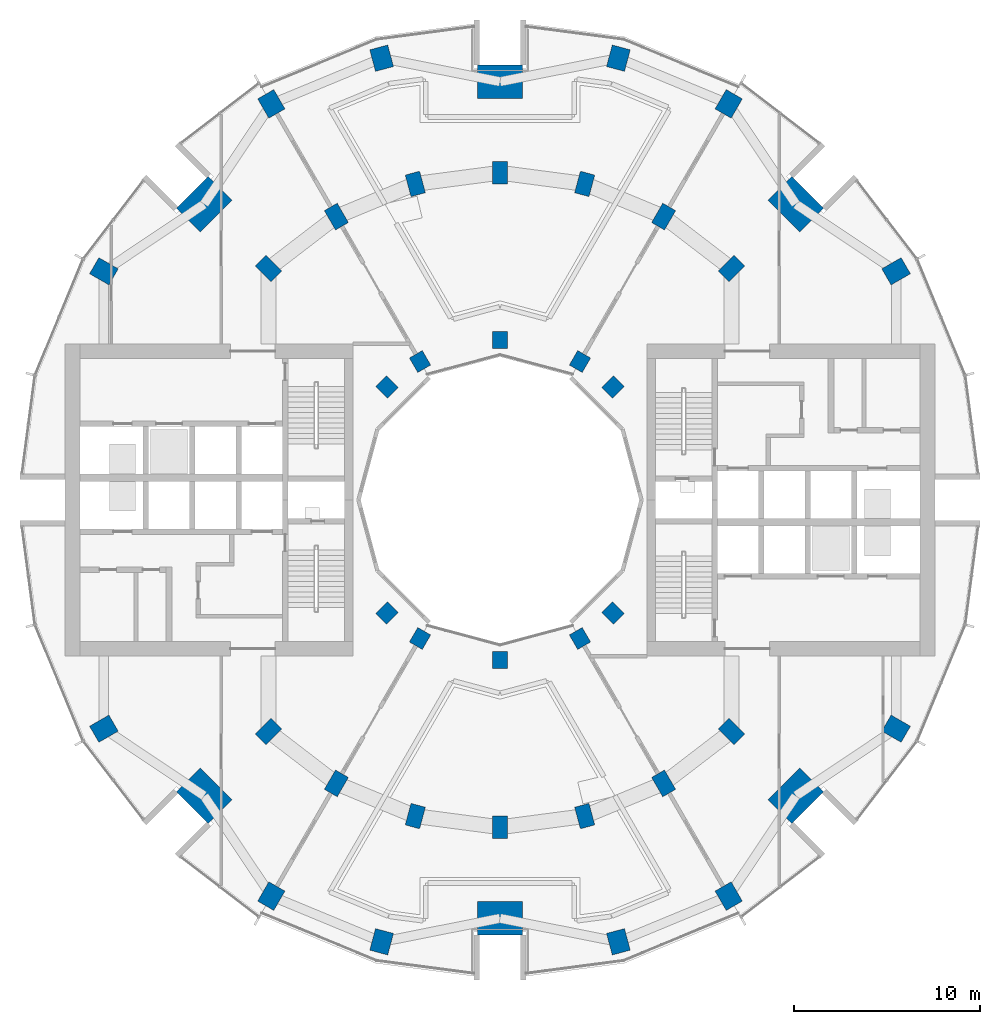
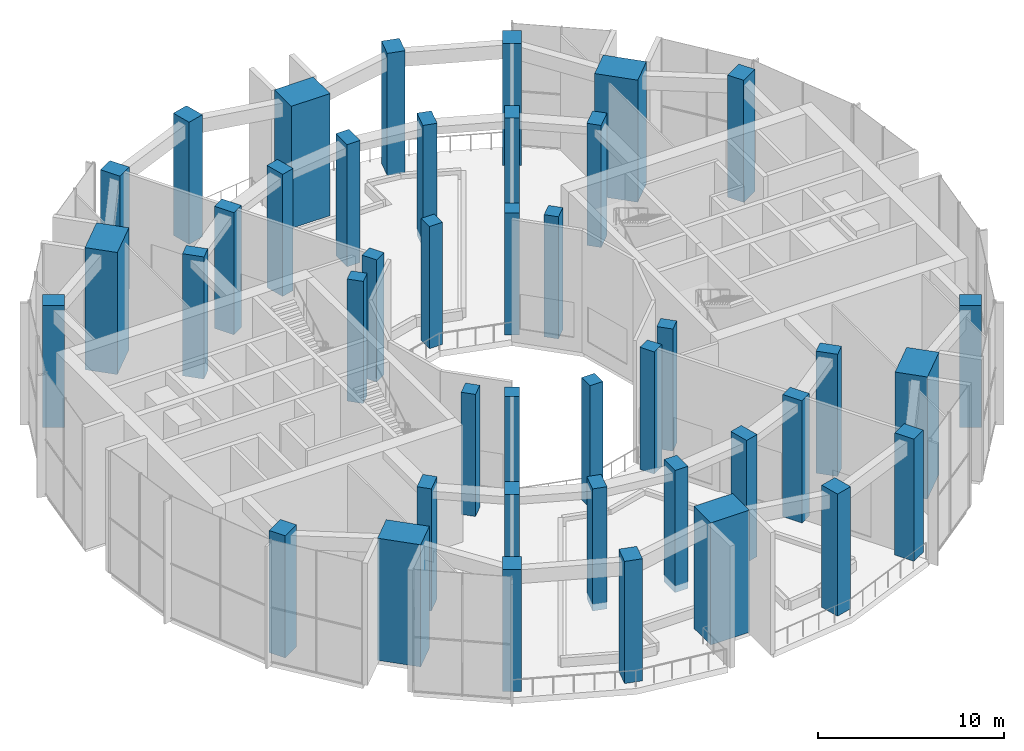
# One storey, part 1 of 18: 42 columns.
"""IFC4 building model written with IfcOpenShell, lengths in metres."""

from ifc_helpers import new_model, si_unit, direction, frame, origin, origin_2d, place, context, subcontext, project, spatial, rectangle, extrude, material, material_profile, profile_set, type_object, element, save


model = new_model("IFC4")

# Units and contexts
model_context = context("Model", 3, precision=1e-05, world=origin(), true_north=direction((0.0, 1.0)))
body_context = subcontext(model_context, "Body", "Model", "MODEL_VIEW")
ifc_project = project(units=[si_unit("LENGTHUNIT", "METRE"), si_unit("AREAUNIT", "SQUARE_METRE"), si_unit("VOLUMEUNIT", "CUBIC_METRE"), si_unit("PLANEANGLEUNIT", "RADIAN"), si_unit("MASSUNIT", "GRAM", prefix="KILO")], contexts=[model_context])

# Site, building, storey
site_placement = place(None, origin())
site = spatial("IfcSite", under=ifc_project, at=site_placement, CompositionType="ELEMENT")
building_placement = place(site_placement, origin())
building = spatial("IfcBuilding", under=site, at=building_placement, Name="Torre Brocal", CompositionType="ELEMENT")
storey_placement = place(building_placement, frame((0.0, 0.0, 74.39990234375)))
storey = spatial("IfcBuildingStorey", under=building, at=storey_placement, Name="L17", CompositionType="ELEMENT", Elevation=74.39990234375)

# Columns
ifc_material_1 = material(Name="Concrete C80", Category="concrete")
ifc_material_profile_1 = material_profile(ifc_material_1, rectangle(XDim=1.199951171875, YDim=1.0, at=origin_2d()), Name="RC 1200X1000")
ifc_profile_set_1 = profile_set([ifc_material_profile_1], Name="Concrete C80")
column_type_1 = type_object("IfcColumnType", Name="RC COLUMN 1200X1000 C80", PredefinedType="COLUMN", material=ifc_profile_set_1)
for number, where, z_axis, x_axis, name in (
    (1, (101.30419921875, 87.300048828125, 0.0), (0.0, 0.0, 1.0), (0.866025403784, 0.5, 0.0), "Column C-O02"),
    (2, (92.300048828125, 96.30419921875, 0.0), (0.0, 0.0, 1.0), (0.5, 0.866025403784, 0.0), "Column C-O04"),
    (3, (86.366943359375, 98.76171875, 0.0), (0.0, 0.0, 1.0), (0.258819045103, 0.965925826289, 0.0), "Column C-O05"),
    (4, (73.633056640625, 98.76171875, 0.0), (0.0, 0.0, 1.0), (-0.258819045103, 0.965925826289, 0.0), "Column C-O07"),
    (5, (67.699951171875, 96.30419921875, 0.0), (0.0, 0.0, 1.0), (-0.5, 0.866025403784, 0.0), "Column C-O08"),
    (6, (58.69580078125, 87.300048828125, 0.0), (0.0, 0.0, 1.0), (-0.866025403784, 0.5, 0.0), "Column C-O10"),
    (7, (58.69580078125, 62.699951171875, 0.0), (0.0, 0.0, 1.0), (-0.866025403784, -0.5, 0.0), "Column C-O14"),
    (8, (67.699951171875, 53.69580078125, 0.0), (0.0, 0.0, 1.0), (-0.5, -0.866025403784, 0.0), "Column C-O16"),
    (9, (73.633056640625, 51.23828125, 0.0), (0.0, 0.0, 1.0), (-0.258819045103, -0.965925826289, 0.0), "Column C-O17"),
    (10, (86.366943359375, 51.23828125, 0.0), (0.0, 0.0, 1.0), (0.258819045103, -0.965925826289, 0.0), "Column C-O19"),
    (11, (92.300048828125, 53.69580078125, 0.0), (0.0, 0.0, 1.0), (0.5, -0.866025403784, 0.0), "Column C-O20"),
    (12, (101.30419921875, 62.699951171875, 0.0), (0.0, 0.0, 1.0), (0.866025403784, -0.5, 0.0), "Column C-O22"),
):
    element("IfcColumn", number, at=place(storey_placement, frame(where, z_axis=z_axis, x_axis=x_axis)), inside=storey, type_object=column_type_1, Name=name, PredefinedType="COLUMN", context=body_context, shape_type="SweptSolid", body=[
        extrude(rectangle(XDim=1.199951171875, YDim=1.0, at=origin_2d()), origin(), (0.0, 0.0, 1.0), 8.0),
    ])
ifc_material_2 = material(Name="Concrete C80", Category="concrete")
ifc_material_profile_2 = material_profile(ifc_material_2, rectangle(XDim=1.199951171875, YDim=0.800048828125, at=origin_2d()), Name="RC 1200X800")
ifc_profile_set_2 = profile_set([ifc_material_profile_2], Name="Concrete C80")
column_type_2 = type_object("IfcColumnType", Name="RC COLUMN 1200X800 C80", PredefinedType="COLUMN", material=ifc_profile_set_2)
for number, where, z_axis, x_axis, name in (
    (13, (92.445068359375, 87.445068359375, 0.0), (0.0, 0.0, 1.0), (0.707106781187, 0.707106781187, 0.0), "Column C-M03"),
    (14, (88.800048828125, 90.241943359375, 0.0), (0.0, 0.0, 1.0), (0.5, 0.866025403784, 0.0), "Column C-M04"),
    (15, (84.55517578125, 92.000244140625, 0.0), (0.0, 0.0, 1.0), (0.258819045103, 0.965925826289, 0.0), "Column C-M05"),
    (16, (80.0, 92.60009765625, 0.0), (0.0, 0.0, 1.0), (0.0, 1.0, 0.0), "Column C-M06"),
    (17, (75.44482421875, 92.000244140625, 0.0), (0.0, 0.0, 1.0), (-0.258819045103, 0.965925826289, 0.0), "Column C-M07"),
    (18, (71.199951171875, 90.241943359375, 0.0), (0.0, 0.0, 1.0), (-0.5, 0.866025403784, 0.0), "Column C-M08"),
    (19, (67.554931640625, 87.445068359375, 0.0), (0.0, 0.0, 1.0), (-0.707106781187, 0.707106781187, 0.0), "Column C-M09"),
    (20, (67.554931640625, 62.554931640625, 0.0), (0.0, 0.0, 1.0), (-0.707106781187, -0.707106781187, 0.0), "Column C-M15"),
    (21, (71.199951171875, 59.758056640625, 0.0), (0.0, 0.0, 1.0), (-0.5, -0.866025403784, 0.0), "Column C-M16"),
    (22, (75.44482421875, 57.999755859375, 0.0), (0.0, 0.0, 1.0), (-0.258819045103, -0.965925826289, 0.0), "Column C-M17"),
    (23, (80.0, 57.39990234375, 0.0), (0.0, 0.0, 1.0), (0.0, -1.0, 0.0), "Column C-M18"),
    (24, (84.55517578125, 57.999755859375, 0.0), (0.0, 0.0, 1.0), (0.258819045103, -0.965925826289, 0.0), "Column C-M19"),
    (25, (88.800048828125, 59.758056640625, 0.0), (0.0, 0.0, 1.0), (0.5, -0.866025403784, 0.0), "Column C-M20"),
    (26, (92.445068359375, 62.554931640625, 0.0), (0.0, 0.0, 1.0), (0.707106781187, -0.707106781187, 0.0), "Column C-M21"),
):
    element("IfcColumn", number, at=place(storey_placement, frame(where, z_axis=z_axis, x_axis=x_axis)), inside=storey, type_object=column_type_2, Name=name, PredefinedType="COLUMN", context=body_context, shape_type="SweptSolid", body=[
        extrude(rectangle(XDim=1.199951171875, YDim=0.800048828125, at=origin_2d()), origin(), (0.0, 0.0, 1.0), 8.0),
    ])
ifc_material_3 = material(Name="Concrete C80", Category="concrete")
ifc_material_profile_3 = material_profile(ifc_material_3, rectangle(XDim=1.800048828125, YDim=2.39990234375, at=origin_2d()), Name="RC 1800X2400")
ifc_profile_set_3 = profile_set([ifc_material_profile_3], Name="Concrete C80")
column_type_3 = type_object("IfcColumnType", Name="RC COLUMN 1800X2400 C80", PredefinedType="COLUMN", material=ifc_profile_set_3)
for number, where, z_axis, x_axis, name in (
    (27, (95.909912109375, 90.909912109375, 0.0), (0.0, 0.0, 1.0), (0.707106781187, 0.707106781187, 0.0), "Column MC-1"),
    (28, (80.0, 97.5, 0.0), (0.0, 0.0, 1.0), (0.0, 1.0, 0.0), "Column MC-2"),
    (29, (64.090087890625, 90.909912109375, 0.0), (0.0, 0.0, 1.0), (-0.707106781187, 0.707106781187, 0.0), "Column MC-3"),
    (30, (64.090087890625, 59.090087890625, 0.0), (0.0, 0.0, 1.0), (-0.707106781187, -0.707106781187, 0.0), "Column MC-5"),
    (31, (80.0, 52.5, 0.0), (0.0, 0.0, 1.0), (0.0, -1.0, 0.0), "Column MC-6"),
    (32, (95.909912109375, 59.090087890625, 0.0), (0.0, 0.0, 1.0), (0.707106781187, -0.707106781187, 0.0), "Column MC-7"),
):
    element("IfcColumn", number, at=place(storey_placement, frame(where, z_axis=z_axis, x_axis=x_axis)), inside=storey, type_object=column_type_3, Name=name, PredefinedType="COLUMN", context=body_context, shape_type="SweptSolid", body=[
        extrude(rectangle(XDim=1.800048828125, YDim=2.39990234375, at=origin_2d()), origin(), (0.0, 0.0, 1.0), 8.0),
    ])
ifc_material_4 = material(Name="Concrete C80", Category="concrete")
ifc_material_profile_4 = material_profile(ifc_material_4, rectangle(XDim=0.89990234375, YDim=0.800048828125, at=origin_2d()), Name="RC 900X800")
ifc_profile_set_4 = profile_set([ifc_material_profile_4], Name="Concrete C80")
column_type_4 = type_object("IfcColumnType", Name="RC COLUMN 900X800 C80", PredefinedType="COLUMN", material=ifc_profile_set_4)
for number, where, z_axis, x_axis, name in (
    (33, (86.0810546875, 81.0810546875, 0.0), (0.0, 0.0, 1.0), (0.707106781187, 0.707106781187, 0.0), "Column C-I03"),
    (34, (84.300048828125, 82.44775390625, 0.0), (0.0, 0.0, 1.0), (0.5, 0.866025403784, 0.0), "Column C-I04"),
    (35, (80.0, 83.60009765625, 0.0), (0.0, 0.0, 1.0), (0.0, 1.0, 0.0), "Column C-I06"),
    (36, (75.699951171875, 82.44775390625, 0.0), (0.0, 0.0, 1.0), (-0.5, 0.866025403784, 0.0), "Column C-I08"),
    (37, (73.9189453125, 81.0810546875, 0.0), (0.0, 0.0, 1.0), (-0.707106781187, 0.707106781187, 0.0), "Column C-I09"),
    (38, (73.9189453125, 68.9189453125, 0.0), (0.0, 0.0, 1.0), (-0.707106781187, -0.707106781187, 0.0), "Column C-I15"),
    (39, (75.699951171875, 67.55224609375, 0.0), (0.0, 0.0, 1.0), (-0.5, -0.866025403784, 0.0), "Column C-I16"),
    (40, (80.0, 66.39990234375, 0.0), (0.0, 0.0, 1.0), (0.0, -1.0, 0.0), "Column C-I18"),
    (41, (84.300048828125, 67.55224609375, 0.0), (0.0, 0.0, 1.0), (0.5, -0.866025403784, 0.0), "Column C-I20"),
    (42, (86.0810546875, 68.9189453125, 0.0), (0.0, 0.0, 1.0), (0.707106781187, -0.707106781187, 0.0), "Column C-I21"),
):
    element("IfcColumn", number, at=place(storey_placement, frame(where, z_axis=z_axis, x_axis=x_axis)), inside=storey, type_object=column_type_4, Name=name, PredefinedType="COLUMN", context=body_context, shape_type="SweptSolid", body=[
        extrude(rectangle(XDim=0.89990234375, YDim=0.800048828125, at=origin_2d()), origin(), (0.0, 0.0, 1.0), 8.0),
    ])

save(model, "model.ifc")
